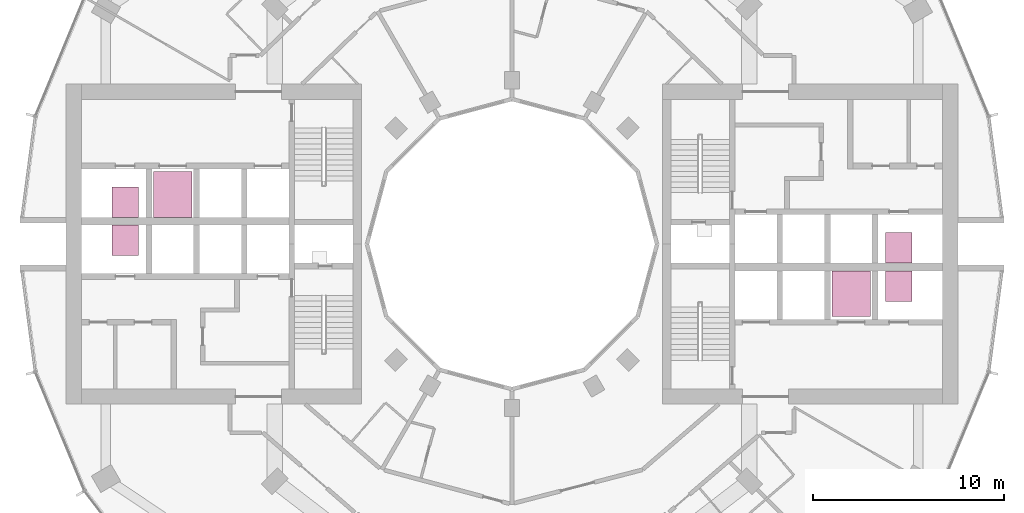
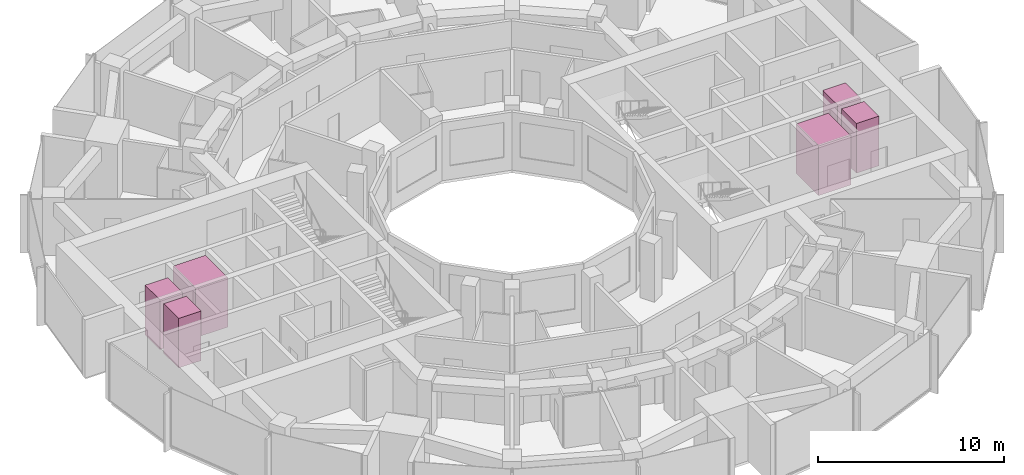
# One storey, part 15 of 15: 6 transport elements.
"""IFC4 building model written with IfcOpenShell, lengths in metres."""

import ifcopenshell
import ifcopenshell.guid

model = None  # the IFC model being written
_history = None  # IfcOwnerHistory: only IFC2X3 demands one
_inside = {}  # id of a spatial element -> (the spatial element, [elements in it])
_under = {}  # id of a project, library or spatial element -> (it, [spatial elements below it])
_declared = {}  # id of a project -> (the project, [libraries it declares])
_typed = {}  # id of a type object -> (the type object, [elements of that type])
_made_of = {}  # id of a material, layer set ... -> (it, [elements and type objects made of it])


def new_model(schema):
    """Start an empty IFC model of exactly this schema.

    Asked for "IFC4X3", IfcOpenShell would pick the latest addendum, in which some entities
    have other attributes; the version numbers below select the first issue.
    IFC2X3 requires an IfcOwnerHistory on every rooted entity: one is made here for all.
    """
    global model, _history
    if schema == "IFC4X3":
        model = ifcopenshell.file(schema_version=(4, 3, 0, 0))
    else:
        model = ifcopenshell.file(schema=schema)
    _inside.clear()
    _under.clear()
    _declared.clear()
    _typed.clear()
    _made_of.clear()
    _history = None
    if model.schema == "IFC2X3":
        org = make("IfcOrganization", Name="unknown")
        user = make(
            "IfcPersonAndOrganization",
            ThePerson=make("IfcPerson", FamilyName="unknown"),
            TheOrganization=org,
        )
        app = make(
            "IfcApplication",
            ApplicationDeveloper=org,
            Version="unknown",
            ApplicationFullName="unknown",
            ApplicationIdentifier="unknown",
        )
        _history = make(
            "IfcOwnerHistory",
            OwningUser=user,
            OwningApplication=app,
            ChangeAction="ADDED",
            CreationDate=0,
        )
    return model


def make(cls, **values):
    """One entity of the class cls with the attributes given. An attribute that is None is left unset."""
    return model.create_entity(
        cls, **{name: value for name, value in values.items() if value is not None}
    )


def rooted(cls, **values):
    """An entity with a GlobalId (a new one), such as an element, a storey or a relation."""
    return make(cls, GlobalId=ifcopenshell.guid.new(), OwnerHistory=_history, **values)


def si_unit(unit_type, name, prefix=None):
    """IfcSIUnit, for example si_unit("LENGTHUNIT", "METRE", prefix="MILLI")."""
    return make("IfcSIUnit", UnitType=unit_type, Prefix=prefix, Name=name)


def assignment(units):
    """IfcUnitAssignment: the units of a project."""
    return None if units is None else make("IfcUnitAssignment", Units=units)


def point(xyz):
    """IfcCartesianPoint."""
    return None if xyz is None else make("IfcCartesianPoint", Coordinates=xyz)


def direction(xyz):
    """IfcDirection."""
    return None if xyz is None else make("IfcDirection", DirectionRatios=xyz)


def frame(location, z_axis=None, x_axis=None):
    """IfcAxis2Placement3D, a coordinate frame: its origin and axes. An axis left out is left unset."""
    return make(
        "IfcAxis2Placement3D",
        Location=point(location),
        Axis=direction(z_axis),
        RefDirection=direction(x_axis),
    )


def frame_2d(location, x_axis=None):
    """IfcAxis2Placement2D, a coordinate frame in the plane: its origin and x axis."""
    return make(
        "IfcAxis2Placement2D", Location=point(location), RefDirection=direction(x_axis)
    )


def origin():
    """The frame at (0, 0, 0) with its axes left unset."""
    return frame((0.0, 0.0, 0.0))


def origin_2d():
    """The frame at (0, 0) in the plane with its x axis left unset."""
    return frame_2d((0.0, 0.0))


def place(relative_to, where):
    """IfcLocalPlacement: puts the frame where relative to a parent placement (None: the world)."""
    return make(
        "IfcLocalPlacement", PlacementRelTo=relative_to, RelativePlacement=where
    )


def context(
    kind, dimensions, precision=None, world=None, true_north=None, identifier=None
):
    """IfcGeometricRepresentationContext, for example the 3D "Model" context."""
    return make(
        "IfcGeometricRepresentationContext",
        ContextIdentifier=identifier,
        ContextType=kind,
        CoordinateSpaceDimension=dimensions,
        Precision=precision,
        WorldCoordinateSystem=world,
        TrueNorth=true_north,
    )


def subcontext(parent, identifier, kind, view, scale=None):
    """IfcGeometricRepresentationSubContext, for example "Body" below "Model"."""
    return make(
        "IfcGeometricRepresentationSubContext",
        ContextIdentifier=identifier,
        ContextType=kind,
        ParentContext=parent,
        TargetScale=scale,
        TargetView=view,
    )


def project(units=None, contexts=None):
    """IfcProject with its units and contexts."""
    return rooted(
        "IfcProject",
        Name="project",
        RepresentationContexts=contexts,
        UnitsInContext=assignment(units),
    )


def spatial(cls, under=None, at=None, **own):
    """A site, building, storey or space (cls), placed at a placement, below another one or the project."""
    s = rooted(cls, ObjectPlacement=at, **own)
    if under is not None:
        _under.setdefault(under.id(), (under, []))[1].append(s)
    return s


def profile(cls, at=None, kind="AREA", **sizes):
    """A parametric profile (cls). Its sizes go by their IFC names, for example OverallWidth=200.0."""
    return make(cls, ProfileType=kind, Position=at, **sizes)


def rectangle(**sizes):
    """IfcRectangleProfileDef."""
    return profile("IfcRectangleProfileDef", **sizes)


def extrude(swept, where, along, depth):
    """IfcExtrudedAreaSolid: the profile swept, set in the frame where, extruded along a direction by depth."""
    return make(
        "IfcExtrudedAreaSolid",
        SweptArea=swept,
        Position=where,
        ExtrudedDirection=direction(along),
        Depth=depth,
    )


def shape(context_of_items, identifier, shape_type, items):
    """IfcShapeRepresentation: the items that make up one representation, for example the "Body"."""
    return make(
        "IfcShapeRepresentation",
        ContextOfItems=context_of_items,
        RepresentationIdentifier=identifier,
        RepresentationType=shape_type,
        Items=items,
    )


def material(Name=None, Category=None):
    """IfcMaterial."""
    return make("IfcMaterial", Name=Name, Category=Category)


def made_of(thing, what):
    """Note that an element or type object is made of a material, layer set ...; save() writes the relation."""
    if what is not None:
        _made_of.setdefault(what.id(), (what, []))[1].append(thing)
    return thing


def type_object(cls, material=None, **own):
    """A type object (cls), such as IfcWallType, which elements share."""
    return made_of(rooted(cls, **own), material)


def element(
    cls,
    number,
    at=None,
    inside=None,
    cuts=None,
    type_object=None,
    material=None,
    context=None,
    identifier="Body",
    shape_type=None,
    held_by="IfcProductDefinitionShape",
    body=None,
    shapes=None,
    **own,
):
    """One element of the class cls, such as IfcWall. Its Tag is "e" and its number.

    at: its placement. inside: the storey or other place that contains it. cuts: it is an
    opening in that element (IfcRelVoidsElement). A single representation is given by context,
    identifier, shape_type and body (its items); several are given by shapes. held_by: the class
    of the entity that holds the representations. save() writes the other relations.
    """
    e = rooted(cls, Tag="e%d" % number, ObjectPlacement=at, **own)
    if body is not None:
        shapes = [shape(context, identifier, shape_type, body)]
    if shapes is not None:
        e.Representation = make(held_by, Representations=shapes)
    if inside is not None:
        _inside.setdefault(inside.id(), (inside, []))[1].append(e)
    if cuts is not None:
        rooted(
            "IfcRelVoidsElement", RelatingBuildingElement=cuts, RelatedOpeningElement=e
        )
    if type_object is not None:
        _typed.setdefault(type_object.id(), (type_object, []))[1].append(e)
    return made_of(e, material)


def aggregate(whole, parts):
    """IfcRelAggregates: a whole, such as a stair, and the parts it consists of."""
    return rooted("IfcRelAggregates", RelatingObject=whole, RelatedObjects=parts)


def save(model, path):
    """Write the relations noted so far, then the file.

    IfcRelAggregates (storeys below a building ...), IfcRelContainedInSpatialStructure (elements
    in a storey), IfcRelDefinesByType, IfcRelAssociatesMaterial and IfcRelDeclares: one each for
    every whole, place, type object, material and project.
    """
    for whole, parts in _under.values():
        aggregate(whole, parts)
    for where, things in _inside.values():
        rooted(
            "IfcRelContainedInSpatialStructure",
            RelatedElements=things,
            RelatingStructure=where,
        )
    for kind, things in _typed.values():
        rooted("IfcRelDefinesByType", RelatedObjects=things, RelatingType=kind)
    for what, things in _made_of.values():
        rooted("IfcRelAssociatesMaterial", RelatedObjects=things, RelatingMaterial=what)
    for by, libraries in _declared.values():
        rooted("IfcRelDeclares", RelatingContext=by, RelatedDefinitions=libraries)
    model.write(path)


model = new_model("IFC4")

# Units and contexts
model_context = context("Model", 3, precision=1e-05, world=origin(), true_north=direction((0.0, 1.0)))
body_context = subcontext(model_context, "Body", "Model", "MODEL_VIEW")
ifc_project = project(units=[si_unit("LENGTHUNIT", "METRE"), si_unit("AREAUNIT", "SQUARE_METRE"), si_unit("VOLUMEUNIT", "CUBIC_METRE"), si_unit("PLANEANGLEUNIT", "RADIAN"), si_unit("MASSUNIT", "GRAM", prefix="KILO")], contexts=[model_context])

# Site, building, storey
site_placement = place(None, origin())
site = spatial("IfcSite", under=ifc_project, at=site_placement, CompositionType="ELEMENT")
building_placement = place(site_placement, origin())
building = spatial("IfcBuilding", under=site, at=building_placement, Name="Torre Brocal", CompositionType="ELEMENT")
storey_placement = place(building_placement, frame((0.0, 0.0, 63.0)))
storey = spatial("IfcBuildingStorey", under=building, at=storey_placement, Name="L14", CompositionType="ELEMENT", Elevation=63.0)

# Transport elements
ifc_material_1 = material(Name="Stainless steel AISI 316", Category="steel")
transport_element_type_1 = type_object("IfcTransportElementType", Name="PASSENGER LIFT 2000", PredefinedType="ELEVATOR", material=ifc_material_1)
for number, where, z_axis, x_axis, name in (
    (1, (97.800048828125, 72.39990234375, 0.0), (0.0, 0.0, 1.0), (1.0, 0.0, 0.0), "LOW RISE LIFT E-LR2"),
    (2, (62.199951171875, 77.60009765625, 0.0), (0.0, 0.0, 1.0), (1.0, 0.0, 0.0), "LOW RISE LIFT W-LR2"),
):
    element("IfcTransportElement", number, at=place(storey_placement, frame(where, z_axis=z_axis, x_axis=x_axis)), inside=storey, type_object=transport_element_type_1, Name=name, PredefinedType="ELEVATOR", context=body_context, shape_type="SweptSolid", body=[
        extrude(rectangle(XDim=2.0, YDim=2.39990234375, at=origin_2d()), origin(), (0.0, 0.0, 1.0), 3.25),
    ])
ifc_material_2 = material(Name="Stainless steel AISI 316", Category="steel")
transport_element_type_2 = type_object("IfcTransportElementType", Name="PASSENGER LIFT 900", PredefinedType="ELEVATOR", material=ifc_material_2)
for number, where, z_axis, x_axis, name in (
    (3, (100.300048828125, 74.800048828125, 0.0), (0.0, 0.0, 1.0), (1.0, 0.0, 0.0), "LOW RISE LIFT E-LR1"),
    (4, (100.300048828125, 72.800048828125, 0.0), (0.0, 0.0, 1.0), (1.0, 0.0, 0.0), "LOW RISE LIFT E-LR3"),
    (5, (59.699951171875, 75.199951171875, 0.0), (0.0, 0.0, 1.0), (1.0, 0.0, 0.0), "LOW RISE LIFT W-LR1"),
    (6, (59.699951171875, 77.199951171875, 0.0), (0.0, 0.0, 1.0), (1.0, 0.0, 0.0), "LOW RISE LIFT W-LR3"),
):
    element("IfcTransportElement", number, at=place(storey_placement, frame(where, z_axis=z_axis, x_axis=x_axis)), inside=storey, type_object=transport_element_type_2, Name=name, PredefinedType="ELEVATOR", context=body_context, shape_type="SweptSolid", body=[
        extrude(rectangle(XDim=1.39990234375, YDim=1.60009765625, at=origin_2d()), origin(), (0.0, 0.0, 1.0), 3.25),
    ])

save(model, "model.ifc")
